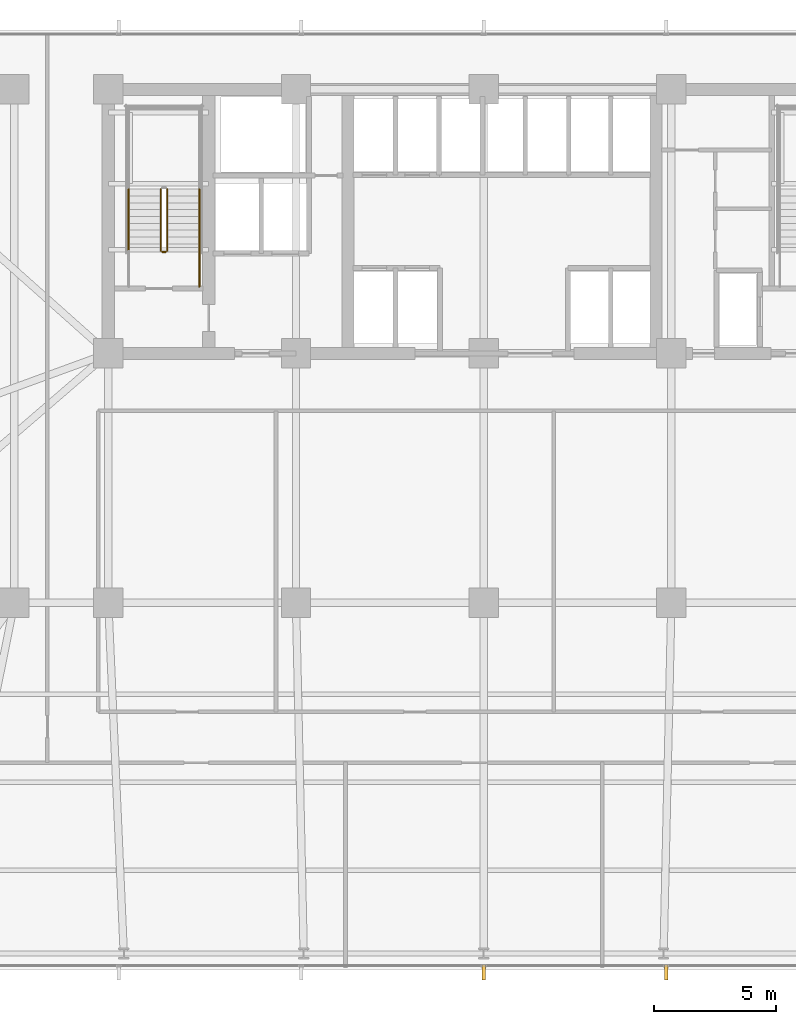
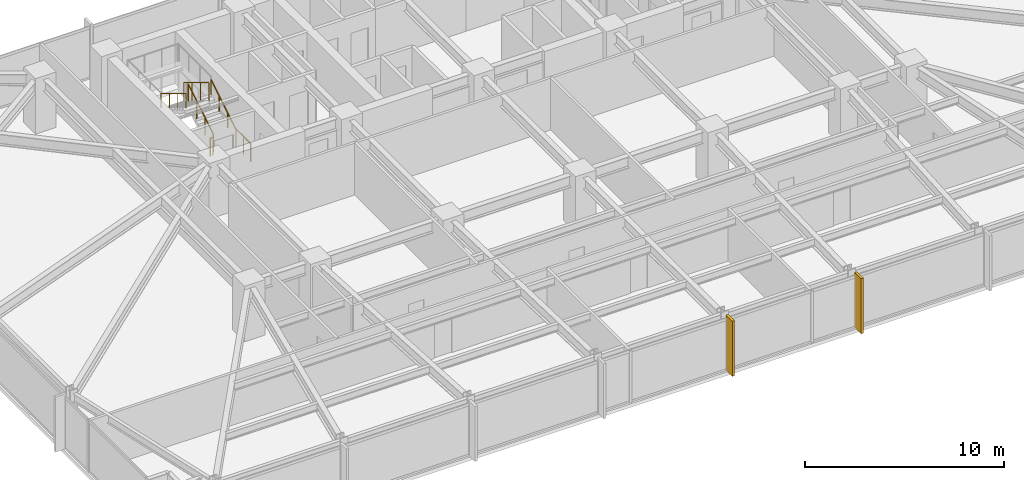
# One storey, part 28 of 32: 6 railings, 2 shading devices.
"""IFC4 building model written with IfcOpenShell, lengths in metres."""

from ifc_helpers import new_model, si_unit, direction, frame, origin, origin_2d, place, context, subcontext, project, spatial, rectangle, circle, extrude, material, layer, layer_set, type_object, element, save


model = new_model("IFC4")

# Units and contexts
model_context = context("Model", 3, precision=1e-05, world=origin(), true_north=direction((0.0, 1.0)))
body_context = subcontext(model_context, "Body", "Model", "MODEL_VIEW")
ifc_project = project(units=[si_unit("LENGTHUNIT", "METRE"), si_unit("AREAUNIT", "SQUARE_METRE"), si_unit("VOLUMEUNIT", "CUBIC_METRE"), si_unit("PLANEANGLEUNIT", "RADIAN"), si_unit("MASSUNIT", "GRAM", prefix="KILO")], contexts=[model_context])

# Site, building, storey
site_placement = place(None, origin())
site = spatial("IfcSite", under=ifc_project, at=site_placement, CompositionType="ELEMENT")
building_placement = place(site_placement, origin())
building = spatial("IfcBuilding", under=site, at=building_placement, Name="Yelkora Congress Tower", CompositionType="ELEMENT")
storey_placement = place(building_placement, frame((0.0, 0.0, 33.800048828125)))
storey = spatial("IfcBuildingStorey", under=building, at=storey_placement, Name="L07", CompositionType="ELEMENT", Elevation=33.800048828125)

# Railings
ifc_material_1 = material(Name="Painted galvanised steel stair well guard with vertical infill", Category="steel")
ifc_layer_1 = layer(ifc_material_1, 0.06005859375)
ifc_layer_set_1 = layer_set([ifc_layer_1], Name="Painted galvanised steel stair well guard with vertical infill")
railing_type_1 = type_object("IfcRailingType", Name="RAIL-STAIR-GUARD-1120", PredefinedType="GUARDRAIL", material=ifc_layer_set_1)
railing_1_placement = place(storey_placement, frame((25.449951171875, 39.60009765625, 0.169921875)))
element("IfcRailing", 1, at=railing_1_placement, inside=storey, type_object=railing_type_1, Name="ST-01 L07 Stair Well Guardrail 1", PredefinedType="GUARDRAIL", context=body_context, shape_type="SweptSolid", body=[
    extrude(circle(Radius=0.02392578125, at=origin_2d()), frame((0.0, 0.0, 1.09619140625), z_axis=(0.0, 0.85478489116, 0.518982456201), x_axis=(-1.0, 0.0, 0.0)), (0.0, 0.0, 1.0), 2.9482421875),
    extrude(circle(Radius=0.02099609375, at=origin_2d()), origin(), (0.0, 0.0, 1.0), 1.072021484375),
    extrude(circle(Radius=0.02099609375, at=origin_2d()), frame((0.0, 0.840087890625, 0.510009765625)), (0.0, 0.0, 1.0), 1.072021484375),
    extrude(circle(Radius=0.02099609375, at=origin_2d()), frame((0.0, 1.679931640625, 1.02001953125)), (0.0, 0.0, 1.0), 1.072021484375),
    extrude(circle(Radius=0.02099609375, at=origin_2d()), frame((0.0, 2.52001953125, 1.530029296875)), (0.0, 0.0, 1.0), 1.072021484375),
])
railing_2_placement = place(storey_placement, frame((25.18994140625, 42.1201171875, 1.869873046875)))
element("IfcRailing", 2, at=railing_2_placement, inside=storey, type_object=railing_type_1, Name="ST-01 L07 Stair Well Guardrail 6", PredefinedType="GUARDRAIL", context=body_context, shape_type="SweptSolid", body=[
    extrude(circle(Radius=0.02392578125, at=origin_2d()), frame((0.0, 0.0, 1.09619140625), z_axis=(0.0, -0.85478489116, 0.518982456201), x_axis=(1.0, 0.0, 0.0)), (0.0, 0.0, 1.0), 2.9482421875),
    extrude(circle(Radius=0.02099609375, at=origin_2d()), origin(), (0.0, 0.0, 1.0), 1.072021484375),
    extrude(circle(Radius=0.02099609375, at=origin_2d()), frame((0.0, -0.840087890625, 0.510009765625)), (0.0, 0.0, 1.0), 1.072021484375),
    extrude(circle(Radius=0.02099609375, at=origin_2d()), frame((0.0, -1.679931640625, 1.02001953125)), (0.0, 0.0, 1.0), 1.072021484375),
    extrude(circle(Radius=0.02099609375, at=origin_2d()), frame((0.0, -2.52001953125, 1.530029296875)), (0.0, 0.0, 1.0), 1.072021484375),
])
railing_3_placement = place(storey_placement, frame((25.39990234375, 39.550048828125, 0.0)))
element("IfcRailing", 3, at=railing_3_placement, inside=storey, type_object=railing_type_1, Name="ST-01 L07 Stair Well Guardrail 7", PredefinedType="GUARDRAIL", context=body_context, shape_type="SweptSolid", body=[
    extrude(circle(Radius=0.02392578125, at=origin_2d()), frame((0.0, 0.0, 1.09619140625), z_axis=(-1.0, 0.0, 0.0), x_axis=(0.0, -1.0, 0.0)), (0.0, 0.0, 1.0), 0.159912109375),
    extrude(circle(Radius=0.02099609375, at=origin_2d()), origin(), (0.0, 0.0, 1.0), 1.072021484375),
    extrude(circle(Radius=0.02099609375, at=origin_2d()), frame((-0.159912109375, 0.0, 0.0)), (0.0, 0.0, 1.0), 1.072021484375),
])
railing_4_placement = place(storey_placement, frame((26.77001953125, 38.1201171875, 0.0)))
element("IfcRailing", 4, at=railing_4_placement, inside=storey, type_object=railing_type_1, Name="ST-01 L07 Stair Well Guardrail 8", PredefinedType="GUARDRAIL", context=body_context, shape_type="SweptSolid", body=[
    extrude(circle(Radius=0.02392578125, at=origin_2d()), frame((0.0, 0.0, 1.09619140625), z_axis=(0.0, 1.0, 0.0), x_axis=(-1.0, 0.0, 0.0)), (0.0, 0.0, 1.0), 1.47998046875),
    extrude(circle(Radius=0.02099609375, at=origin_2d()), origin(), (0.0, 0.0, 1.0), 1.072021484375),
    extrude(circle(Radius=0.02099609375, at=origin_2d()), frame((0.0, 0.739990234375, 0.0)), (0.0, 0.0, 1.0), 1.072021484375),
    extrude(circle(Radius=0.02099609375, at=origin_2d()), frame((0.0, 1.47998046875, 0.0)), (0.0, 0.0, 1.0), 1.072021484375),
])
ifc_material_2 = material(Name="Brushed stainless steel tubular handrail", Category="steel")
ifc_layer_2 = layer(ifc_material_2, 0.050048828125)
ifc_layer_set_2 = layer_set([ifc_layer_2], Name="Brushed stainless steel tubular handrail")
railing_type_2 = type_object("IfcRailingType", Name="RAIL-STAIR-HAND-920", PredefinedType="HANDRAIL", material=ifc_layer_set_2)
railing_5_placement = place(storey_placement, frame((26.77001953125, 39.60009765625, 0.169921875)))
element("IfcRailing", 5, at=railing_5_placement, inside=storey, type_object=railing_type_2, Name="ST-01 L07 Pitch Handrail 1", PredefinedType="HANDRAIL", context=body_context, shape_type="SweptSolid", body=[
    extrude(circle(Radius=0.02392578125, at=origin_2d()), frame((0.0, 0.0, 0.89599609375), z_axis=(0.0, 0.85478489116, 0.518982456201), x_axis=(-1.0, 0.0, 0.0)), (0.0, 0.0, 1.0), 2.9482421875),
    extrude(circle(Radius=0.02099609375, at=origin_2d()), origin(), (0.0, 0.0, 1.0), 0.871826171875),
    extrude(circle(Radius=0.02099609375, at=origin_2d()), frame((0.0, 0.840087890625, 0.510009765625)), (0.0, 0.0, 1.0), 0.871826171875),
    extrude(circle(Radius=0.02099609375, at=origin_2d()), frame((0.0, 1.679931640625, 1.02001953125)), (0.0, 0.0, 1.0), 0.871826171875),
    extrude(circle(Radius=0.02099609375, at=origin_2d()), frame((0.0, 2.52001953125, 1.530029296875)), (0.0, 0.0, 1.0), 0.871826171875),
])
railing_6_placement = place(storey_placement, frame((23.8701171875, 42.1201171875, 1.869873046875)))
element("IfcRailing", 6, at=railing_6_placement, inside=storey, type_object=railing_type_2, Name="ST-01 L07 Pitch Handrail 2", PredefinedType="HANDRAIL", context=body_context, shape_type="SweptSolid", body=[
    extrude(circle(Radius=0.02392578125, at=origin_2d()), frame((0.0, 0.0, 0.89599609375), z_axis=(0.0, -0.85478489116, 0.518982456201), x_axis=(1.0, 0.0, 0.0)), (0.0, 0.0, 1.0), 2.9482421875),
    extrude(circle(Radius=0.02099609375, at=origin_2d()), origin(), (0.0, 0.0, 1.0), 0.871826171875),
    extrude(circle(Radius=0.02099609375, at=origin_2d()), frame((0.0, -0.840087890625, 0.510009765625)), (0.0, 0.0, 1.0), 0.871826171875),
    extrude(circle(Radius=0.02099609375, at=origin_2d()), frame((0.0, -1.679931640625, 1.02001953125)), (0.0, 0.0, 1.0), 0.871826171875),
    extrude(circle(Radius=0.02099609375, at=origin_2d()), frame((0.0, -2.52001953125, 1.530029296875)), (0.0, 0.0, 1.0), 0.871826171875),
])

# Shading devices
ifc_material_3 = material(Name="Champagne anodised aluminium", Category="aluminium")
ifc_layer_3 = layer(ifc_material_3, 3.39990234375)
ifc_layer_set_3 = layer_set([ifc_layer_3], Name="Champagne anodised aluminium")
shading_device_type = type_object("IfcShadingDeviceType", Name="SHD-FIN-ALU-640", PredefinedType="USERDEFINED", material=ifc_layer_set_3)
for number, where, z_axis, x_axis, name in (
    (7, (45.864990234375, 10.080078125, -0.030029296875), (0.0, 0.0, 1.0), (-1.0, 0.0, 0.0), "L07 Vertical Anodised Solar Fin 20-3"),
    (8, (38.39990234375, 10.080078125, -0.030029296875), (0.0, 0.0, 1.0), (-1.0, 0.0, 0.0), "L07 Vertical Anodised Solar Fin 20-4"),
):
    element("IfcShadingDevice", number, at=place(storey_placement, frame(where, z_axis=z_axis, x_axis=x_axis)), inside=storey, type_object=shading_device_type, Name=name, ObjectType="FIN", PredefinedType="USERDEFINED", context=body_context, shape_type="SweptSolid", body=[
        extrude(rectangle(XDim=0.139892578125, YDim=0.639892578125, at=origin_2d()), origin(), (0.0, 0.0, 1.0), 3.3798828125),
    ])

save(model, "model.ifc")
